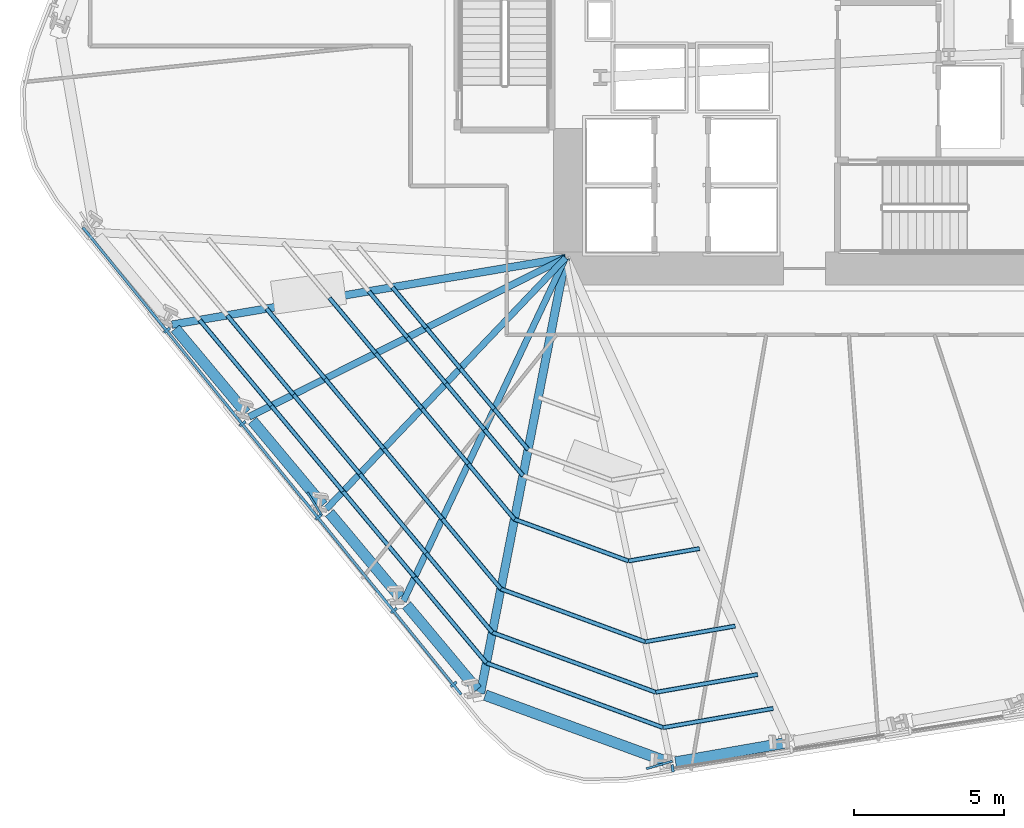
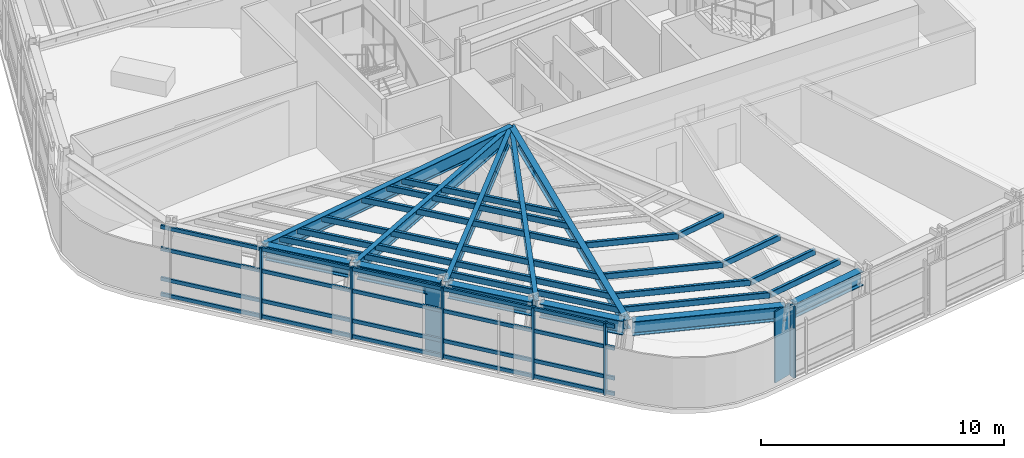
# One storey, part 2 of 16: 44 members, 11 beams, 2 elements without a shape of their own.
"""IFC4 building model written with IfcOpenShell, lengths in metres."""

import ifcopenshell
import ifcopenshell.guid

model = None  # the IFC model being written
_history = None  # IfcOwnerHistory: only IFC2X3 demands one
_inside = {}  # id of a spatial element -> (the spatial element, [elements in it])
_under = {}  # id of a project, library or spatial element -> (it, [spatial elements below it])
_declared = {}  # id of a project -> (the project, [libraries it declares])
_typed = {}  # id of a type object -> (the type object, [elements of that type])
_made_of = {}  # id of a material, layer set ... -> (it, [elements and type objects made of it])


def new_model(schema):
    """Start an empty IFC model of exactly this schema.

    Asked for "IFC4X3", IfcOpenShell would pick the latest addendum, in which some entities
    have other attributes; the version numbers below select the first issue.
    IFC2X3 requires an IfcOwnerHistory on every rooted entity: one is made here for all.
    """
    global model, _history
    if schema == "IFC4X3":
        model = ifcopenshell.file(schema_version=(4, 3, 0, 0))
    else:
        model = ifcopenshell.file(schema=schema)
    _inside.clear()
    _under.clear()
    _declared.clear()
    _typed.clear()
    _made_of.clear()
    _history = None
    if model.schema == "IFC2X3":
        org = make("IfcOrganization", Name="unknown")
        user = make(
            "IfcPersonAndOrganization",
            ThePerson=make("IfcPerson", FamilyName="unknown"),
            TheOrganization=org,
        )
        app = make(
            "IfcApplication",
            ApplicationDeveloper=org,
            Version="unknown",
            ApplicationFullName="unknown",
            ApplicationIdentifier="unknown",
        )
        _history = make(
            "IfcOwnerHistory",
            OwningUser=user,
            OwningApplication=app,
            ChangeAction="ADDED",
            CreationDate=0,
        )
    return model


def make(cls, **values):
    """One entity of the class cls with the attributes given. An attribute that is None is left unset."""
    return model.create_entity(
        cls, **{name: value for name, value in values.items() if value is not None}
    )


def rooted(cls, **values):
    """An entity with a GlobalId (a new one), such as an element, a storey or a relation."""
    return make(cls, GlobalId=ifcopenshell.guid.new(), OwnerHistory=_history, **values)


def si_unit(unit_type, name, prefix=None):
    """IfcSIUnit, for example si_unit("LENGTHUNIT", "METRE", prefix="MILLI")."""
    return make("IfcSIUnit", UnitType=unit_type, Prefix=prefix, Name=name)


def assignment(units):
    """IfcUnitAssignment: the units of a project."""
    return None if units is None else make("IfcUnitAssignment", Units=units)


def point(xyz):
    """IfcCartesianPoint."""
    return None if xyz is None else make("IfcCartesianPoint", Coordinates=xyz)


def direction(xyz):
    """IfcDirection."""
    return None if xyz is None else make("IfcDirection", DirectionRatios=xyz)


def frame(location, z_axis=None, x_axis=None):
    """IfcAxis2Placement3D, a coordinate frame: its origin and axes. An axis left out is left unset."""
    return make(
        "IfcAxis2Placement3D",
        Location=point(location),
        Axis=direction(z_axis),
        RefDirection=direction(x_axis),
    )


def frame_2d(location, x_axis=None):
    """IfcAxis2Placement2D, a coordinate frame in the plane: its origin and x axis."""
    return make(
        "IfcAxis2Placement2D", Location=point(location), RefDirection=direction(x_axis)
    )


def origin():
    """The frame at (0, 0, 0) with its axes left unset."""
    return frame((0.0, 0.0, 0.0))


def origin_2d():
    """The frame at (0, 0) in the plane with its x axis left unset."""
    return frame_2d((0.0, 0.0))


def place(relative_to, where):
    """IfcLocalPlacement: puts the frame where relative to a parent placement (None: the world)."""
    return make(
        "IfcLocalPlacement", PlacementRelTo=relative_to, RelativePlacement=where
    )


def context(
    kind, dimensions, precision=None, world=None, true_north=None, identifier=None
):
    """IfcGeometricRepresentationContext, for example the 3D "Model" context."""
    return make(
        "IfcGeometricRepresentationContext",
        ContextIdentifier=identifier,
        ContextType=kind,
        CoordinateSpaceDimension=dimensions,
        Precision=precision,
        WorldCoordinateSystem=world,
        TrueNorth=true_north,
    )


def subcontext(parent, identifier, kind, view, scale=None):
    """IfcGeometricRepresentationSubContext, for example "Body" below "Model"."""
    return make(
        "IfcGeometricRepresentationSubContext",
        ContextIdentifier=identifier,
        ContextType=kind,
        ParentContext=parent,
        TargetScale=scale,
        TargetView=view,
    )


def project(units=None, contexts=None):
    """IfcProject with its units and contexts."""
    return rooted(
        "IfcProject",
        Name="project",
        RepresentationContexts=contexts,
        UnitsInContext=assignment(units),
    )


def spatial(cls, under=None, at=None, **own):
    """A site, building, storey or space (cls), placed at a placement, below another one or the project."""
    s = rooted(cls, ObjectPlacement=at, **own)
    if under is not None:
        _under.setdefault(under.id(), (under, []))[1].append(s)
    return s


def profile(cls, at=None, kind="AREA", **sizes):
    """A parametric profile (cls). Its sizes go by their IFC names, for example OverallWidth=200.0."""
    return make(cls, ProfileType=kind, Position=at, **sizes)


def rectangle(**sizes):
    """IfcRectangleProfileDef."""
    return profile("IfcRectangleProfileDef", **sizes)


def hollow_rectangle(**sizes):
    """IfcRectangleHollowProfileDef."""
    return profile("IfcRectangleHollowProfileDef", **sizes)


def i_section(**sizes):
    """IfcIShapeProfileDef."""
    return profile("IfcIShapeProfileDef", **sizes)


def extrude(swept, where, along, depth):
    """IfcExtrudedAreaSolid: the profile swept, set in the frame where, extruded along a direction by depth."""
    return make(
        "IfcExtrudedAreaSolid",
        SweptArea=swept,
        Position=where,
        ExtrudedDirection=direction(along),
        Depth=depth,
    )


def shape(context_of_items, identifier, shape_type, items):
    """IfcShapeRepresentation: the items that make up one representation, for example the "Body"."""
    return make(
        "IfcShapeRepresentation",
        ContextOfItems=context_of_items,
        RepresentationIdentifier=identifier,
        RepresentationType=shape_type,
        Items=items,
    )


def material(Name=None, Category=None):
    """IfcMaterial."""
    return make("IfcMaterial", Name=Name, Category=Category)


def layer(
    of_material, thickness, ventilated=None, Name=None, Category=None, Priority=None
):
    """IfcMaterialLayer: one layer of a wall or slab, of a material (None: an air gap)."""
    return make(
        "IfcMaterialLayer",
        Material=of_material,
        LayerThickness=thickness,
        IsVentilated=ventilated,
        Name=Name,
        Category=Category,
        Priority=Priority,
    )


def layer_set(layers, Name=None):
    """IfcMaterialLayerSet."""
    return make("IfcMaterialLayerSet", MaterialLayers=layers, LayerSetName=Name)


def material_profile(
    of_material, cross_section, Name=None, Category=None, Priority=None
):
    """IfcMaterialProfile: a cross section and its material."""
    return make(
        "IfcMaterialProfile",
        Name=Name,
        Material=of_material,
        Profile=cross_section,
        Priority=Priority,
        Category=Category,
    )


def profile_set(profiles, Name=None, composite=None):
    """IfcMaterialProfileSet."""
    return make(
        "IfcMaterialProfileSet",
        Name=Name,
        MaterialProfiles=profiles,
        CompositeProfile=composite,
    )


def made_of(thing, what):
    """Note that an element or type object is made of a material, layer set ...; save() writes the relation."""
    if what is not None:
        _made_of.setdefault(what.id(), (what, []))[1].append(thing)
    return thing


def type_object(cls, material=None, **own):
    """A type object (cls), such as IfcWallType, which elements share."""
    return made_of(rooted(cls, **own), material)


def element(
    cls,
    number,
    at=None,
    inside=None,
    cuts=None,
    type_object=None,
    material=None,
    context=None,
    identifier="Body",
    shape_type=None,
    held_by="IfcProductDefinitionShape",
    body=None,
    shapes=None,
    **own,
):
    """One element of the class cls, such as IfcWall. Its Tag is "e" and its number.

    at: its placement. inside: the storey or other place that contains it. cuts: it is an
    opening in that element (IfcRelVoidsElement). A single representation is given by context,
    identifier, shape_type and body (its items); several are given by shapes. held_by: the class
    of the entity that holds the representations. save() writes the other relations.
    """
    e = rooted(cls, Tag="e%d" % number, ObjectPlacement=at, **own)
    if body is not None:
        shapes = [shape(context, identifier, shape_type, body)]
    if shapes is not None:
        e.Representation = make(held_by, Representations=shapes)
    if inside is not None:
        _inside.setdefault(inside.id(), (inside, []))[1].append(e)
    if cuts is not None:
        rooted(
            "IfcRelVoidsElement", RelatingBuildingElement=cuts, RelatedOpeningElement=e
        )
    if type_object is not None:
        _typed.setdefault(type_object.id(), (type_object, []))[1].append(e)
    return made_of(e, material)


def aggregate(whole, parts):
    """IfcRelAggregates: a whole, such as a stair, and the parts it consists of."""
    return rooted("IfcRelAggregates", RelatingObject=whole, RelatedObjects=parts)


def save(model, path):
    """Write the relations noted so far, then the file.

    IfcRelAggregates (storeys below a building ...), IfcRelContainedInSpatialStructure (elements
    in a storey), IfcRelDefinesByType, IfcRelAssociatesMaterial and IfcRelDeclares: one each for
    every whole, place, type object, material and project.
    """
    for whole, parts in _under.values():
        aggregate(whole, parts)
    for where, things in _inside.values():
        rooted(
            "IfcRelContainedInSpatialStructure",
            RelatedElements=things,
            RelatingStructure=where,
        )
    for kind, things in _typed.values():
        rooted("IfcRelDefinesByType", RelatedObjects=things, RelatingType=kind)
    for what, things in _made_of.values():
        rooted("IfcRelAssociatesMaterial", RelatedObjects=things, RelatingMaterial=what)
    for by, libraries in _declared.values():
        rooted("IfcRelDeclares", RelatingContext=by, RelatedDefinitions=libraries)
    model.write(path)


model = new_model("IFC4")

# Units and contexts
model_context = context("Model", 3, precision=1e-05, world=origin(), true_north=direction((0.0, 1.0)))
body_context = subcontext(model_context, "Body", "Model", "MODEL_VIEW")
ifc_project = project(units=[si_unit("LENGTHUNIT", "METRE"), si_unit("AREAUNIT", "SQUARE_METRE"), si_unit("VOLUMEUNIT", "CUBIC_METRE"), si_unit("PLANEANGLEUNIT", "RADIAN"), si_unit("MASSUNIT", "GRAM", prefix="KILO")], contexts=[model_context])

# Site, building, storey
site_placement = place(None, origin())
site = spatial("IfcSite", under=ifc_project, at=site_placement, CompositionType="ELEMENT")
building_placement = place(site_placement, origin())
building = spatial("IfcBuilding", under=site, at=building_placement, Name="Valkerne Bourse Tower", CompositionType="ELEMENT")
storey_placement = place(building_placement, frame((0.0, 0.0, 62.0)))
storey = spatial("IfcBuildingStorey", under=building, at=storey_placement, Name="L15", CompositionType="ELEMENT", Elevation=62.0)

# Beams
ifc_material_1 = material(Name="Steel ASTM A992", Category="steel")
ifc_material_profile_1 = material_profile(ifc_material_1, i_section(OverallWidth=0.279296875, OverallDepth=0.46240234375, WebThickness=0.0107421875, FlangeThickness=0.017333984375, FilletRadius=0.017822265625, at=origin_2d()), Name="W18X76")
ifc_profile_set_1 = profile_set([ifc_material_profile_1], Name="Steel ASTM A992")
beam_type_1 = type_object("IfcBeamType", Name="BM-W18X76", PredefinedType="BEAM", material=ifc_profile_set_1)
beam_1_placement = place(storey_placement, frame((34.771484375, 3.920654296875, 3.348876953125), z_axis=(0.19173198238, 0.981447322546, 0.0), x_axis=(-0.981447322546, 0.19173198238, 0.0)))
element("IfcBeam", 1, at=beam_1_placement, inside=storey, type_object=beam_type_1, Name="L15 Radial Composite Floor Beam 23", PredefinedType="BEAM", context=body_context, shape_type="SweptSolid", body=[
    extrude(i_section(OverallWidth=0.279296875, OverallDepth=0.46240234375, WebThickness=0.0107421875, FlangeThickness=0.017333984375, FilletRadius=0.017822265625, at=origin_2d()), origin(), (0.0, 0.0, 1.0), 14.7529296875),
])
ifc_material_profile_2 = material_profile(ifc_material_1, i_section(OverallWidth=0.209228515625, OverallDepth=0.533447265625, WebThickness=0.01025390625, FlangeThickness=0.015625, FilletRadius=0.017822265625, at=origin_2d()), Name="W21X62")
ifc_profile_set_2 = profile_set([ifc_material_profile_2], Name="Steel ASTM A992")
beam_type_2 = type_object("IfcBeamType", Name="BM-W21X62", PredefinedType="JOIST", material=ifc_profile_set_2)
beam_2_placement = place(storey_placement, frame((32.208251953125, 6.986083984375, 3.313232421875), z_axis=(0.427135009995, 0.904187858377, 0.0), x_axis=(-0.904187858377, 0.427135009995, 0.0)))
element("IfcBeam", 2, at=beam_2_placement, inside=storey, type_object=beam_type_2, Name="L15 Radial Composite Floor Beam 22", PredefinedType="JOIST", context=body_context, shape_type="SweptSolid", body=[
    extrude(i_section(OverallWidth=0.209228515625, OverallDepth=0.533447265625, WebThickness=0.01025390625, FlangeThickness=0.015625, FilletRadius=0.017822265625, at=origin_2d()), origin(), (0.0, 0.0, 1.0), 12.623291015625),
])
ifc_material_profile_3 = material_profile(ifc_material_1, i_section(OverallWidth=0.2138671875, OverallDepth=0.548583984375, WebThickness=0.0146484375, FlangeThickness=0.023681640625, FilletRadius=0.017822265625, at=origin_2d()), Name="W21X93")
ifc_profile_set_3 = profile_set([ifc_material_profile_3], Name="Steel ASTM A992")
beam_type_3 = type_object("IfcBeamType", Name="BM-W21X93", PredefinedType="BEAM", material=ifc_profile_set_3)
beam_3_placement = place(storey_placement, frame((29.64501953125, 10.0517578125, 3.3056640625), z_axis=(0.689858151805, 0.723944563063, 0.0), x_axis=(-0.723944563063, 0.689858151805, 0.0)))
element("IfcBeam", 3, at=beam_3_placement, inside=storey, type_object=beam_type_3, Name="L15 Radial Composite Floor Beam 21", PredefinedType="BEAM", context=body_context, shape_type="SweptSolid", body=[
    extrude(i_section(OverallWidth=0.2138671875, OverallDepth=0.548583984375, WebThickness=0.0146484375, FlangeThickness=0.023681640625, FilletRadius=0.017822265625, at=origin_2d()), origin(), (0.0, 0.0, 1.0), 11.531494140625),
])
ifc_material_profile_4 = material_profile(ifc_material_1, i_section(OverallWidth=0.228271484375, OverallDepth=0.607177734375, WebThickness=0.01123046875, FlangeThickness=0.017333984375, FilletRadius=0.017822265625, at=origin_2d()), Name="W24X76")
ifc_profile_set_4 = profile_set([ifc_material_profile_4], Name="Steel ASTM A992")
beam_type_4 = type_object("IfcBeamType", Name="BM-W24X76", PredefinedType="JOIST", material=ifc_profile_set_4)
beam_4_placement = place(storey_placement, frame((27.081787109375, 13.1171875, 3.2763671875), z_axis=(0.893625118639, 0.448814156793, 0.0), x_axis=(-0.448814156793, 0.893625118639, 0.0)))
element("IfcBeam", 4, at=beam_4_placement, inside=storey, type_object=beam_type_4, Name="L15 Radial Composite Floor Beam 20", PredefinedType="JOIST", context=body_context, shape_type="SweptSolid", body=[
    extrude(i_section(OverallWidth=0.228271484375, OverallDepth=0.607177734375, WebThickness=0.01123046875, FlangeThickness=0.017333984375, FilletRadius=0.017822265625, at=origin_2d()), origin(), (0.0, 0.0, 1.0), 11.770263671875),
])
ifc_material_profile_5 = material_profile(ifc_material_1, i_section(OverallWidth=0.255859375, OverallDepth=0.693359375, WebThickness=0.014404296875, FlangeThickness=0.023681640625, FilletRadius=0.02294921875, at=origin_2d()), Name="W27X114")
ifc_profile_set_5 = profile_set([ifc_material_profile_5], Name="Steel ASTM A992")
beam_type_5 = type_object("IfcBeamType", Name="BM-W27X114", PredefinedType="BEAM", material=ifc_profile_set_5)
beam_5_placement = place(storey_placement, frame((24.5185546875, 16.182861328125, 3.2333984375), z_axis=(0.985940664298, 0.167095800315, 0.0), x_axis=(-0.167095800315, 0.985940664298, 0.0)))
element("IfcBeam", 5, at=beam_5_placement, inside=storey, type_object=beam_type_5, Name="L15 Radial Composite Floor Beam 19", PredefinedType="BEAM", context=body_context, shape_type="SweptSolid", body=[
    extrude(i_section(OverallWidth=0.255859375, OverallDepth=0.693359375, WebThickness=0.014404296875, FlangeThickness=0.023681640625, FilletRadius=0.02294921875, at=origin_2d()), origin(), (0.0, 0.0, 1.0), 13.26806640625),
])
ifc_material_profile_6 = material_profile(ifc_material_1, i_section(OverallWidth=0.358154296875, OverallDepth=0.7060546875, WebThickness=0.018310546875, FlangeThickness=0.0302734375, FilletRadius=0.02294921875, at=origin_2d()), Name="W27X178")
ifc_profile_set_6 = profile_set([ifc_material_profile_6], Name="Steel ASTM A992")
beam_type_6 = type_object("IfcBeamType", Name="BM-W27X178", PredefinedType="SPANDREL", material=ifc_profile_set_6)
for number, where, z_axis, x_axis, name in (
    (6, (24.62744140625, 16.052490234375, 3.22705078125), (0.641470895861, -0.767147371607, 0.0), (0.767147371607, 0.641470895861, 0.0), "L15 Hexagonal Spandrel Ring Beam 19"),
    (7, (27.190673828125, 12.98681640625, 3.22705078125), (0.641470895861, -0.767147371607, 0.0), (0.767147371607, 0.641470895861, 0.0), "L15 Hexagonal Spandrel Ring Beam 20"),
    (8, (29.75390625, 9.92138671875, 3.22705078125), (0.641470895861, -0.767147371607, 0.0), (0.767147371607, 0.641470895861, 0.0), "L15 Hexagonal Spandrel Ring Beam 21"),
    (9, (32.317138671875, 6.855712890625, 3.22705078125), (0.641470895861, -0.767147371607, 0.0), (0.767147371607, 0.641470895861, 0.0), "L15 Hexagonal Spandrel Ring Beam 22"),
):
    element("IfcBeam", number, at=place(storey_placement, frame(where, z_axis=z_axis, x_axis=x_axis)), inside=storey, type_object=beam_type_6, Name=name, PredefinedType="SPANDREL", context=body_context, shape_type="SweptSolid", body=[
        extrude(i_section(OverallWidth=0.358154296875, OverallDepth=0.7060546875, WebThickness=0.018310546875, FlangeThickness=0.0302734375, FilletRadius=0.02294921875, at=origin_2d()), origin(), (0.0, 0.0, 1.0), 3.656005859375),
    ])
beam_6_placement = place(storey_placement, frame((34.930908203125, 3.8623046875, 3.22705078125), z_axis=(0.939088565255, -0.343675234208, 0.0), x_axis=(0.343675234208, 0.939088565255, 0.0)))
element("IfcBeam", 10, at=beam_6_placement, inside=storey, type_object=beam_type_6, Name="L15 Hexagonal Spandrel Ring Beam 23", PredefinedType="SPANDREL", context=body_context, shape_type="SweptSolid", body=[
    extrude(i_section(OverallWidth=0.358154296875, OverallDepth=0.7060546875, WebThickness=0.018310546875, FlangeThickness=0.0302734375, FilletRadius=0.02294921875, at=origin_2d()), origin(), (0.0, 0.0, 1.0), 6.38916015625),
])
beam_7_placement = place(storey_placement, frame((41.258056640625, 1.63720703125, 3.22705078125), z_axis=(0.985105210753, 0.171952678802, 0.0), x_axis=(-0.171952678802, 0.985105210753, 0.0)))
element("IfcBeam", 11, at=beam_7_placement, inside=storey, type_object=beam_type_6, Name="L15 Hexagonal Spandrel Ring Beam 24", PredefinedType="SPANDREL", context=body_context, shape_type="SweptSolid", body=[
    extrude(i_section(OverallWidth=0.358154296875, OverallDepth=0.7060546875, WebThickness=0.018310546875, FlangeThickness=0.0302734375, FilletRadius=0.02294921875, at=origin_2d()), origin(), (0.0, 0.0, 1.0), 3.656005859375),
])

# Curtain wall, members
ifc_material_2 = material(Name="Aluminium AA 6063-T6", Category="aluminium")
ifc_layer = layer(ifc_material_2, 0.22509765625)
ifc_layer_set = layer_set([ifc_layer], Name="Aluminium AA 6063-T6")
curtain_wall_type = type_object("IfcCurtainWallType", Name="CW-01", PredefinedType="NOTDEFINED", material=ifc_layer_set)
curtain_wall_1_placement = place(storey_placement, origin())
curtain_wall_1 = element("IfcCurtainWall", 12, at=curtain_wall_1_placement, inside=storey, type_object=curtain_wall_type, Name="L15 Hexagonal Stick Curtain Wall Face 4", PredefinedType="NOTDEFINED")
ifc_material_profile_7 = material_profile(ifc_material_2, rectangle(XDim=0.090087890625, YDim=0.239990234375, at=origin_2d()), Name="CWM-90X240")
ifc_profile_set_7 = profile_set([ifc_material_profile_7], Name="Aluminium AA 6063-T6")
member_type_1 = type_object("IfcMemberType", Name="CW-MUL-240X90", PredefinedType="MULLION", material=ifc_profile_set_7)
member_1_placement = place(storey_placement, frame((24.351318359375, 15.993896484375, 0.0), z_axis=(0.0, 0.0, 1.0), x_axis=(0.629322761639, -0.777144041786, 0.0)))
member_1 = element("IfcMember", 13, at=member_1_placement, type_object=member_type_1, Name="CW-L15-F4 Jamb Mullion 01A", PredefinedType="MULLION", context=body_context, shape_type="SweptSolid", body=[
    extrude(rectangle(XDim=0.090087890625, YDim=0.239990234375, at=origin_2d()), origin(), (0.0, 0.0, 1.0), 3.580078125),
])
member_2_placement = place(storey_placement, frame((26.8662109375, 12.888427734375, 0.0), z_axis=(0.0, 0.0, 1.0), x_axis=(0.629322761639, -0.777144041786, 0.0)))
member_2 = element("IfcMember", 14, at=member_2_placement, type_object=member_type_1, Name="CW-L15-F4 Jamb Mullion 02A", PredefinedType="MULLION", context=body_context, shape_type="SweptSolid", body=[
    extrude(rectangle(XDim=0.090087890625, YDim=0.239990234375, at=origin_2d()), origin(), (0.0, 0.0, 1.0), 3.580078125),
])
member_3_placement = place(storey_placement, frame((29.381103515625, 9.782958984375, 0.0), z_axis=(0.0, 0.0, 1.0), x_axis=(0.629307647505, -0.777156280803, 0.0)))
member_3 = element("IfcMember", 15, at=member_3_placement, type_object=member_type_1, Name="CW-L15-F4 Jamb Mullion 03A", PredefinedType="MULLION", context=body_context, shape_type="SweptSolid", body=[
    extrude(rectangle(XDim=0.090087890625, YDim=0.239990234375, at=origin_2d()), origin(), (0.0, 0.0, 1.0), 3.580078125),
])
member_4_placement = place(storey_placement, frame((31.895751953125, 6.677490234375, 0.0), z_axis=(0.0, 0.0, 1.0), x_axis=(0.629335000772, -0.77713413051, 0.0)))
member_4 = element("IfcMember", 16, at=member_4_placement, type_object=member_type_1, Name="CW-L15-F4 Jamb Mullion 04A", PredefinedType="MULLION", context=body_context, shape_type="SweptSolid", body=[
    extrude(rectangle(XDim=0.090087890625, YDim=0.239990234375, at=origin_2d()), origin(), (0.0, 0.0, 1.0), 3.580078125),
])
member_5_placement = place(storey_placement, frame((33.8818359375, 4.224853515625, 0.0), z_axis=(0.0, 0.0, 1.0), x_axis=(0.629335000772, -0.77713413051, 0.0)))
member_5 = element("IfcMember", 17, at=member_5_placement, type_object=member_type_1, Name="CW-L15-F4 Jamb Mullion 04B", PredefinedType="MULLION", context=body_context, shape_type="SweptSolid", body=[
    extrude(rectangle(XDim=0.090087890625, YDim=0.239990234375, at=origin_2d()), origin(), (0.0, 0.0, 1.0), 3.580078125),
])

# Curtain wall, member
curtain_wall_2_placement = place(storey_placement, origin())
curtain_wall_2 = element("IfcCurtainWall", 18, at=curtain_wall_2_placement, inside=storey, type_object=curtain_wall_type, Name="L15 Hexagonal Stick Curtain Wall Face 5", PredefinedType="NOTDEFINED")
member_6_placement = place(storey_placement, frame((41.160400390625, 1.430908203125, 0.0), z_axis=(0.0, 0.0, 1.0), x_axis=(0.987688793331, 0.156431606549, 0.0)))
member_6 = element("IfcMember", 19, at=member_6_placement, type_object=member_type_1, Name="CW-L15-F5 Jamb Mullion 00A", PredefinedType="MULLION", context=body_context, shape_type="SweptSolid", body=[
    extrude(rectangle(XDim=0.090087890625, YDim=0.239990234375, at=origin_2d()), origin(), (0.0, 0.0, 1.0), 3.580078125),
])
aggregate(curtain_wall_2, [member_6])

# Member
ifc_material_profile_8 = material_profile(ifc_material_2, rectangle(XDim=0.090087890625, YDim=0.179931640625, at=origin_2d()), Name="CWT-90X180")
ifc_profile_set_8 = profile_set([ifc_material_profile_8], Name="Aluminium AA 6063-T6")
member_type_2 = type_object("IfcMemberType", Name="CW-TRN-180X90", PredefinedType="USERDEFINED", material=ifc_profile_set_8)
member_7_placement = place(storey_placement, frame((21.556884765625, 19.4130859375, 0.1201171875), z_axis=(0.629318438977, -0.77714754221, 0.0), x_axis=(0.77714754221, 0.629318438977, 0.0)))
member_7 = element("IfcMember", 20, at=member_7_placement, type_object=member_type_2, Name="CW-L15-F4 Continuous Face Transom 1", ObjectType="TRANSOM", PredefinedType="USERDEFINED", context=body_context, shape_type="SweptSolid", body=[
    extrude(rectangle(XDim=0.090087890625, YDim=0.179931640625, at=origin_2d()), origin(), (0.0, 0.0, 1.0), 19.97998046875),
])

member_8_placement = place(storey_placement, frame((21.556884765625, 19.4130859375, 0.89990234375), z_axis=(0.629318438977, -0.77714754221, 0.0), x_axis=(0.77714754221, 0.629318438977, 0.0)))
member_8 = element("IfcMember", 21, at=member_8_placement, type_object=member_type_2, Name="CW-L15-F4 Continuous Face Transom 2", ObjectType="TRANSOM", PredefinedType="USERDEFINED", context=body_context, shape_type="SweptSolid", body=[
    extrude(rectangle(XDim=0.090087890625, YDim=0.179931640625, at=origin_2d()), origin(), (0.0, 0.0, 1.0), 19.97998046875),
])

member_9_placement = place(storey_placement, frame((21.556884765625, 19.4130859375, 2.39990234375), z_axis=(0.629318438977, -0.77714754221, 0.0), x_axis=(0.77714754221, 0.629318438977, 0.0)))
member_9 = element("IfcMember", 22, at=member_9_placement, type_object=member_type_2, Name="CW-L15-F4 Continuous Face Transom 3", ObjectType="TRANSOM", PredefinedType="USERDEFINED", context=body_context, shape_type="SweptSolid", body=[
    extrude(rectangle(XDim=0.090087890625, YDim=0.179931640625, at=origin_2d()), origin(), (0.0, 0.0, 1.0), 19.97998046875),
])

member_10_placement = place(storey_placement, frame((21.556884765625, 19.4130859375, 3.5), z_axis=(0.629318438977, -0.77714754221, 0.0), x_axis=(0.77714754221, 0.629318438977, 0.0)))
member_10 = element("IfcMember", 23, at=member_10_placement, type_object=member_type_2, Name="CW-L15-F4 Continuous Face Transom 4", ObjectType="TRANSOM", PredefinedType="USERDEFINED", context=body_context, shape_type="SweptSolid", body=[
    extrude(rectangle(XDim=0.090087890625, YDim=0.179931640625, at=origin_2d()), origin(), (0.0, 0.0, 1.0), 19.97998046875),
])

aggregate(curtain_wall_1, [member_7, member_8, member_9, member_10, member_1, member_2, member_3, member_4, member_5])

# Members
ifc_material_3 = material(Name="Bronze Anodised Aluminium AA 6063-T6", Category="aluminium")
ifc_material_profile_9 = material_profile(ifc_material_3, rectangle(XDim=0.070068359375, YDim=0.89990234375, at=origin_2d()), Name="FIN-70X900")
ifc_profile_set_9 = profile_set([ifc_material_profile_9], Name="Bronze Anodised Aluminium AA 6063-T6")
member_type_3 = type_object("IfcMemberType", Name="FIN-SOLAR-900", PredefinedType="USERDEFINED", material=ifc_profile_set_9)
for number, where, z_axis, x_axis, name in (
    (24, (29.256591796875, 10.22265625, 0.00390625), (0.0, 0.0, 1.0), (-0.84508798451, -0.534627251865, 0.0), "L15 Bronze Anodised Solar Fin F4-03"),
    (25, (40.717529296875, 1.54296875, 0.00390625), (0.0, 0.0, 1.0), (0.280914282891, -0.959732861617, 0.0), "L15 Bronze Anodised Solar Fin F5-00"),
):
    element("IfcMember", number, at=place(storey_placement, frame(where, z_axis=z_axis, x_axis=x_axis)), inside=storey, type_object=member_type_3, Name=name, ObjectType="SOLAR_FIN", PredefinedType="USERDEFINED", context=body_context, shape_type="SweptSolid", body=[
        extrude(rectangle(XDim=0.070068359375, YDim=0.89990234375, at=origin_2d()), origin(), (0.0, 0.0, 1.0), 3.572021484375),
    ])
ifc_material_4 = material(Name="Steel ASTM A500 Grade C", Category="steel")
ifc_material_profile_10 = material_profile(ifc_material_4, hollow_rectangle(XDim=0.14990234375, YDim=0.300048828125, WallThickness=0.012451171875, OuterFilletRadius=0.02490234375, at=origin_2d()), Name="HSS300X150X12.5")
ifc_profile_set_10 = profile_set([ifc_material_profile_10], Name="Steel ASTM A500 Grade C")
member_type_4 = type_object("IfcMemberType", Name="MBR-HSS300X150X12.5", PredefinedType="PURLIN", material=ifc_profile_set_10)
for number, where, z_axis, x_axis, name in (
    (26, (31.843994140625, 17.424560546875, 3.419921875), (0.641480925186, -0.767138985206, 0.0), (0.767138985206, 0.641480925186, 0.0), "L15 Secondary Composite Floor Purlin K-19"),
    (27, (32.971923828125, 16.07568359375, 3.419921875), (0.641480925186, -0.767138985206, 0.0), (0.767138985206, 0.641480925186, 0.0), "L15 Secondary Composite Floor Purlin K-20"),
):
    element("IfcMember", number, at=place(storey_placement, frame(where, z_axis=z_axis, x_axis=x_axis)), inside=storey, type_object=member_type_4, Name=name, PredefinedType="PURLIN", context=body_context, shape_type="SweptSolid", body=[
        extrude(hollow_rectangle(XDim=0.14990234375, YDim=0.300048828125, WallThickness=0.012451171875, OuterFilletRadius=0.02490234375, at=origin_2d()), origin(), (0.0, 0.0, 1.0), 1.75830078125),
    ])
member_11_placement = place(storey_placement, frame((34.099853515625, 14.726806640625, 3.419921875), z_axis=(0.641399201508, -0.767207315075, 0.0), x_axis=(0.767207315075, 0.641399201508, 0.0)))
element("IfcMember", 28, at=member_11_placement, inside=storey, type_object=member_type_4, Name="L15 Secondary Composite Floor Purlin K-21", PredefinedType="PURLIN", context=body_context, shape_type="SweptSolid", body=[
    extrude(hollow_rectangle(XDim=0.14990234375, YDim=0.300048828125, WallThickness=0.012451171875, OuterFilletRadius=0.02490234375, at=origin_2d()), origin(), (0.0, 0.0, 1.0), 1.758056640625),
])
member_12_placement = place(storey_placement, frame((35.2275390625, 13.3779296875, 3.419921875), z_axis=(0.641480925186, -0.767138985206, 0.0), x_axis=(0.767138985206, 0.641480925186, 0.0)))
element("IfcMember", 29, at=member_12_placement, inside=storey, type_object=member_type_4, Name="L15 Secondary Composite Floor Purlin K-22", PredefinedType="PURLIN", context=body_context, shape_type="SweptSolid", body=[
    extrude(hollow_rectangle(XDim=0.14990234375, YDim=0.300048828125, WallThickness=0.012451171875, OuterFilletRadius=0.02490234375, at=origin_2d()), origin(), (0.0, 0.0, 1.0), 1.75830078125),
])
member_13_placement = place(storey_placement, frame((31.05908203125, 17.29150390625, 3.419921875), z_axis=(0.641445395835, -0.767168693419, 0.0), x_axis=(0.767168693419, 0.641445395835, 0.0)))
element("IfcMember", 30, at=member_13_placement, inside=storey, type_object=member_type_4, Name="L15 Secondary Composite Floor Purlin M-19", PredefinedType="PURLIN", context=body_context, shape_type="SweptSolid", body=[
    extrude(hollow_rectangle(XDim=0.14990234375, YDim=0.300048828125, WallThickness=0.012451171875, OuterFilletRadius=0.02490234375, at=origin_2d()), origin(), (0.0, 0.0, 1.0), 1.998291015625),
])
member_14_placement = place(storey_placement, frame((32.3408203125, 15.758544921875, 3.419921875), z_axis=(0.641505523928, -0.76711841509, 0.0), x_axis=(0.76711841509, 0.641505523928, 0.0)))
element("IfcMember", 31, at=member_14_placement, inside=storey, type_object=member_type_4, Name="L15 Secondary Composite Floor Purlin M-20", PredefinedType="PURLIN", context=body_context, shape_type="SweptSolid", body=[
    extrude(hollow_rectangle(XDim=0.14990234375, YDim=0.300048828125, WallThickness=0.012451171875, OuterFilletRadius=0.02490234375, at=origin_2d()), origin(), (0.0, 0.0, 1.0), 1.998046875),
])
member_15_placement = place(storey_placement, frame((33.62255859375, 14.225830078125, 3.419921875), z_axis=(0.641433609343, -0.767178548191, 0.0), x_axis=(0.767178548191, 0.641433609343, 0.0)))
element("IfcMember", 32, at=member_15_placement, inside=storey, type_object=member_type_4, Name="L15 Secondary Composite Floor Purlin M-21", PredefinedType="PURLIN", context=body_context, shape_type="SweptSolid", body=[
    extrude(hollow_rectangle(XDim=0.14990234375, YDim=0.300048828125, WallThickness=0.012451171875, OuterFilletRadius=0.02490234375, at=origin_2d()), origin(), (0.0, 0.0, 1.0), 1.997802734375),
])
member_16_placement = place(storey_placement, frame((34.904052734375, 12.693115234375, 3.419921875), z_axis=(0.641505523928, -0.76711841509, 0.0), x_axis=(0.76711841509, 0.641505523928, 0.0)))
element("IfcMember", 33, at=member_16_placement, inside=storey, type_object=member_type_4, Name="L15 Secondary Composite Floor Purlin M-22", PredefinedType="PURLIN", context=body_context, shape_type="SweptSolid", body=[
    extrude(hollow_rectangle(XDim=0.14990234375, YDim=0.300048828125, WallThickness=0.012451171875, OuterFilletRadius=0.02490234375, at=origin_2d()), origin(), (0.0, 0.0, 1.0), 1.998046875),
])
member_17_placement = place(storey_placement, frame((27.658203125, 16.715087890625, 3.419921875), z_axis=(0.641401248292, -0.767205603922, 0.0), x_axis=(0.767205603922, 0.641401248292, 0.0)))
element("IfcMember", 34, at=member_17_placement, inside=storey, type_object=member_type_4, Name="L15 Secondary Composite Floor Purlin O-19", PredefinedType="PURLIN", context=body_context, shape_type="SweptSolid", body=[
    extrude(hollow_rectangle(XDim=0.14990234375, YDim=0.300048828125, WallThickness=0.012451171875, OuterFilletRadius=0.02490234375, at=origin_2d()), origin(), (0.0, 0.0, 1.0), 3.037109375),
])
member_18_placement = place(storey_placement, frame((29.606201171875, 14.385009765625, 3.419921875), z_axis=(0.641480368559, -0.767139450657, 0.0), x_axis=(0.767139450657, 0.641480368559, 0.0)))
element("IfcMember", 35, at=member_18_placement, inside=storey, type_object=member_type_4, Name="L15 Secondary Composite Floor Purlin O-20", PredefinedType="PURLIN", context=body_context, shape_type="SweptSolid", body=[
    extrude(hollow_rectangle(XDim=0.14990234375, YDim=0.300048828125, WallThickness=0.012451171875, OuterFilletRadius=0.02490234375, at=origin_2d()), origin(), (0.0, 0.0, 1.0), 3.03662109375),
])
for number, where, z_axis, x_axis, name in (
    (36, (31.55419921875, 12.055419921875, 3.419921875), (0.641440806838, -0.767172530349, 0.0), (0.767172530349, 0.641440806838, 0.0), "L15 Secondary Composite Floor Purlin O-21"),
    (37, (33.502197265625, 9.7255859375, 3.419921875), (0.641440806838, -0.767172530349, 0.0), (0.767172530349, 0.641440806838, 0.0), "L15 Secondary Composite Floor Purlin O-22"),
):
    element("IfcMember", number, at=place(storey_placement, frame(where, z_axis=z_axis, x_axis=x_axis)), inside=storey, type_object=member_type_4, Name=name, PredefinedType="PURLIN", context=body_context, shape_type="SweptSolid", body=[
        extrude(hollow_rectangle(XDim=0.14990234375, YDim=0.300048828125, WallThickness=0.012451171875, OuterFilletRadius=0.02490234375, at=origin_2d()), origin(), (0.0, 0.0, 1.0), 3.036865234375),
    ])
member_19_placement = place(storey_placement, frame((35.4501953125, 7.395751953125, 3.419921875), z_axis=(0.939093169182, -0.343662653769, 0.0), x_axis=(0.343662653769, 0.939093169182, 0.0)))
element("IfcMember", 38, at=member_19_placement, inside=storey, type_object=member_type_4, Name="L15 Secondary Composite Floor Purlin O-23", PredefinedType="PURLIN", context=body_context, shape_type="SweptSolid", body=[
    extrude(hollow_rectangle(XDim=0.14990234375, YDim=0.300048828125, WallThickness=0.012451171875, OuterFilletRadius=0.02490234375, at=origin_2d()), origin(), (0.0, 0.0, 1.0), 5.1142578125),
])
member_20_placement = place(storey_placement, frame((40.2529296875, 5.63818359375, 3.419921875), z_axis=(0.985104769512, 0.171955206625, 0.0), x_axis=(-0.171955206625, 0.985104769512, 0.0)))
element("IfcMember", 39, at=member_20_placement, inside=storey, type_object=member_type_4, Name="L15 Secondary Composite Floor Purlin O-24", PredefinedType="PURLIN", context=body_context, shape_type="SweptSolid", body=[
    extrude(hollow_rectangle(XDim=0.14990234375, YDim=0.300048828125, WallThickness=0.012451171875, OuterFilletRadius=0.02490234375, at=origin_2d()), origin(), (0.0, 0.0, 1.0), 3.036865234375),
])
for number, where, z_axis, x_axis, name in (
    (40, (29.751220703125, 17.069580078125, 3.419921875), (0.641475664197, -0.767143384409, 0.0), (0.767143384409, 0.641475664197, 0.0), "L15 Secondary Composite Floor Purlin Z-19"),
    (41, (31.2890625, 15.23046875, 3.419921875), (0.641425552024, -0.767185284798, 0.0), (0.767185284798, 0.641425552024, 0.0), "L15 Secondary Composite Floor Purlin Z-20"),
):
    element("IfcMember", number, at=place(storey_placement, frame(where, z_axis=z_axis, x_axis=x_axis)), inside=storey, type_object=member_type_4, Name=name, PredefinedType="PURLIN", context=body_context, shape_type="SweptSolid", body=[
        extrude(hollow_rectangle(XDim=0.14990234375, YDim=0.300048828125, WallThickness=0.012451171875, OuterFilletRadius=0.02490234375, at=origin_2d()), origin(), (0.0, 0.0, 1.0), 2.3974609375),
    ])
member_21_placement = place(storey_placement, frame((32.826904296875, 13.39111328125, 3.419921875), z_axis=(0.641485480416, -0.767135176104, 0.0), x_axis=(0.767135176104, 0.641485480416, 0.0)))
element("IfcMember", 42, at=member_21_placement, inside=storey, type_object=member_type_4, Name="L15 Secondary Composite Floor Purlin Z-21", PredefinedType="PURLIN", context=body_context, shape_type="SweptSolid", body=[
    extrude(hollow_rectangle(XDim=0.14990234375, YDim=0.300048828125, WallThickness=0.012451171875, OuterFilletRadius=0.02490234375, at=origin_2d()), origin(), (0.0, 0.0, 1.0), 2.397705078125),
])
member_22_placement = place(storey_placement, frame((34.364990234375, 11.5517578125, 3.419921875), z_axis=(0.641425552024, -0.767185284798, 0.0), x_axis=(0.767185284798, 0.641425552024, 0.0)))
element("IfcMember", 43, at=member_22_placement, inside=storey, type_object=member_type_4, Name="L15 Secondary Composite Floor Purlin Z-22", PredefinedType="PURLIN", context=body_context, shape_type="SweptSolid", body=[
    extrude(hollow_rectangle(XDim=0.14990234375, YDim=0.300048828125, WallThickness=0.012451171875, OuterFilletRadius=0.02490234375, at=origin_2d()), origin(), (0.0, 0.0, 1.0), 2.3974609375),
])
member_23_placement = place(storey_placement, frame((35.90283203125, 9.71240234375, 3.419921875), z_axis=(0.939097627358, -0.343650471106, 0.0), x_axis=(0.343650471106, 0.939097627358, 0.0)))
element("IfcMember", 44, at=member_23_placement, inside=storey, type_object=member_type_4, Name="L15 Secondary Composite Floor Purlin Z-23", PredefinedType="PURLIN", context=body_context, shape_type="SweptSolid", body=[
    extrude(hollow_rectangle(XDim=0.14990234375, YDim=0.300048828125, WallThickness=0.012451171875, OuterFilletRadius=0.02490234375, at=origin_2d()), origin(), (0.0, 0.0, 1.0), 4.037353515625),
])
member_24_placement = place(storey_placement, frame((39.6943359375, 8.324951171875, 3.419921875), z_axis=(0.98511894421, 0.171873982204, 0.0), x_axis=(-0.171873982204, 0.98511894421, 0.0)))
element("IfcMember", 45, at=member_24_placement, inside=storey, type_object=member_type_4, Name="L15 Secondary Composite Floor Purlin Z-24", PredefinedType="PURLIN", context=body_context, shape_type="SweptSolid", body=[
    extrude(hollow_rectangle(XDim=0.14990234375, YDim=0.300048828125, WallThickness=0.012451171875, OuterFilletRadius=0.02490234375, at=origin_2d()), origin(), (0.0, 0.0, 1.0), 2.397705078125),
])
for number, where, z_axis, x_axis, name in (
    (46, (26.349853515625, 16.493408203125, 3.419921875), (0.64143434862, -0.767177930086, 0.0), (0.767177930086, 0.64143434862, 0.0), "L15 Secondary Composite Floor Purlin T-19"),
    (47, (28.55419921875, 13.85693359375, 3.419921875), (0.64143434862, -0.767177930086, 0.0), (0.767177930086, 0.64143434862, 0.0), "L15 Secondary Composite Floor Purlin T-20"),
):
    element("IfcMember", number, at=place(storey_placement, frame(where, z_axis=z_axis, x_axis=x_axis)), inside=storey, type_object=member_type_4, Name=name, PredefinedType="PURLIN", context=body_context, shape_type="SweptSolid", body=[
        extrude(hollow_rectangle(XDim=0.14990234375, YDim=0.300048828125, WallThickness=0.012451171875, OuterFilletRadius=0.02490234375, at=origin_2d()), origin(), (0.0, 0.0, 1.0), 3.4365234375),
    ])
member_25_placement = place(storey_placement, frame((30.758544921875, 11.220458984375, 3.419921875), z_axis=(0.64147615813, -0.767142971389, 0.0), x_axis=(0.767142971389, 0.64147615813, 0.0)))
element("IfcMember", 48, at=member_25_placement, inside=storey, type_object=member_type_4, Name="L15 Secondary Composite Floor Purlin T-21", PredefinedType="PURLIN", context=body_context, shape_type="SweptSolid", body=[
    extrude(hollow_rectangle(XDim=0.14990234375, YDim=0.300048828125, WallThickness=0.012451171875, OuterFilletRadius=0.02490234375, at=origin_2d()), origin(), (0.0, 0.0, 1.0), 3.436767578125),
])
member_26_placement = place(storey_placement, frame((32.963134765625, 8.583984375, 3.419921875), z_axis=(0.64146930901, -0.767148698492, 0.0), x_axis=(0.767148698492, 0.64146930901, 0.0)))
element("IfcMember", 49, at=member_26_placement, inside=storey, type_object=member_type_4, Name="L15 Secondary Composite Floor Purlin T-22", PredefinedType="PURLIN", context=body_context, shape_type="SweptSolid", body=[
    extrude(hollow_rectangle(XDim=0.14990234375, YDim=0.300048828125, WallThickness=0.012451171875, OuterFilletRadius=0.02490234375, at=origin_2d()), origin(), (0.0, 0.0, 1.0), 3.436279296875),
])
member_27_placement = place(storey_placement, frame((35.16748046875, 5.94775390625, 3.419921875), z_axis=(0.939089313213, -0.343673190414, 0.0), x_axis=(0.343673190414, 0.939089313213, 0.0)))
element("IfcMember", 50, at=member_27_placement, inside=storey, type_object=member_type_4, Name="L15 Secondary Composite Floor Purlin T-23", PredefinedType="PURLIN", context=body_context, shape_type="SweptSolid", body=[
    extrude(hollow_rectangle(XDim=0.14990234375, YDim=0.300048828125, WallThickness=0.012451171875, OuterFilletRadius=0.02490234375, at=origin_2d()), origin(), (0.0, 0.0, 1.0), 5.786865234375),
])
member_28_placement = place(storey_placement, frame((40.601806640625, 3.958984375, 3.419921875), z_axis=(0.985111478941, 0.171916764912, 0.0), x_axis=(-0.171916764912, 0.985111478941, 0.0)))
element("IfcMember", 51, at=member_28_placement, inside=storey, type_object=member_type_4, Name="L15 Secondary Composite Floor Purlin T-24", PredefinedType="PURLIN", context=body_context, shape_type="SweptSolid", body=[
    extrude(hollow_rectangle(XDim=0.14990234375, YDim=0.300048828125, WallThickness=0.012451171875, OuterFilletRadius=0.02490234375, at=origin_2d()), origin(), (0.0, 0.0, 1.0), 3.436767578125),
])
member_29_placement = place(storey_placement, frame((25.43408203125, 16.338134765625, 3.419921875), z_axis=(0.641475782235, -0.767143285708, 0.0), x_axis=(0.767143285708, 0.641475782235, 0.0)))
element("IfcMember", 52, at=member_29_placement, inside=storey, type_object=member_type_4, Name="L15 Secondary Composite Floor Purlin U-19", PredefinedType="PURLIN", context=body_context, shape_type="SweptSolid", body=[
    extrude(hollow_rectangle(XDim=0.14990234375, YDim=0.300048828125, WallThickness=0.012451171875, OuterFilletRadius=0.02490234375, at=origin_2d()), origin(), (0.0, 0.0, 1.0), 3.716552734375),
])
member_30_placement = place(storey_placement, frame((27.818115234375, 13.487060546875, 3.419921875), z_axis=(0.641469448656, -0.767148581724, 0.0), x_axis=(0.767148581724, 0.641469448656, 0.0)))
element("IfcMember", 53, at=member_30_placement, inside=storey, type_object=member_type_4, Name="L15 Secondary Composite Floor Purlin U-20", PredefinedType="PURLIN", context=body_context, shape_type="SweptSolid", body=[
    extrude(hollow_rectangle(XDim=0.14990234375, YDim=0.300048828125, WallThickness=0.012451171875, OuterFilletRadius=0.02490234375, at=origin_2d()), origin(), (0.0, 0.0, 1.0), 3.716064453125),
])
for number, where, z_axis, x_axis, name in (
    (54, (30.201904296875, 10.63623046875, 3.419921875), (0.641437119867, -0.767175613049, 0.0), (0.767175613049, 0.641437119867, 0.0), "L15 Secondary Composite Floor Purlin U-21"),
    (55, (32.585693359375, 7.78515625, 3.419921875), (0.641437119867, -0.767175613049, 0.0), (0.767175613049, 0.641437119867, 0.0), "L15 Secondary Composite Floor Purlin U-22"),
):
    element("IfcMember", number, at=place(storey_placement, frame(where, z_axis=z_axis, x_axis=x_axis)), inside=storey, type_object=member_type_4, Name=name, PredefinedType="PURLIN", context=body_context, shape_type="SweptSolid", body=[
        extrude(hollow_rectangle(XDim=0.14990234375, YDim=0.300048828125, WallThickness=0.012451171875, OuterFilletRadius=0.02490234375, at=origin_2d()), origin(), (0.0, 0.0, 1.0), 3.71630859375),
    ])
member_31_placement = place(storey_placement, frame((34.969482421875, 4.93408203125, 3.419921875), z_axis=(0.939090916867, -0.343668808387, 0.0), x_axis=(0.343668808387, 0.939090916867, 0.0)))
element("IfcMember", 56, at=member_31_placement, inside=storey, type_object=member_type_4, Name="L15 Secondary Composite Floor Purlin U-23", PredefinedType="PURLIN", context=body_context, shape_type="SweptSolid", body=[
    extrude(hollow_rectangle(XDim=0.14990234375, YDim=0.300048828125, WallThickness=0.012451171875, OuterFilletRadius=0.02490234375, at=origin_2d()), origin(), (0.0, 0.0, 1.0), 6.2578125),
])
member_32_placement = place(storey_placement, frame((40.84619140625, 2.783447265625, 3.419921875), z_axis=(0.985109842922, 0.171926139308, 0.0), x_axis=(-0.171926139308, 0.985109842922, 0.0)))
element("IfcMember", 57, at=member_32_placement, inside=storey, type_object=member_type_4, Name="L15 Secondary Composite Floor Purlin U-24", PredefinedType="PURLIN", context=body_context, shape_type="SweptSolid", body=[
    extrude(hollow_rectangle(XDim=0.14990234375, YDim=0.300048828125, WallThickness=0.012451171875, OuterFilletRadius=0.02490234375, at=origin_2d()), origin(), (0.0, 0.0, 1.0), 3.71630859375),
])

save(model, "model.ifc")
